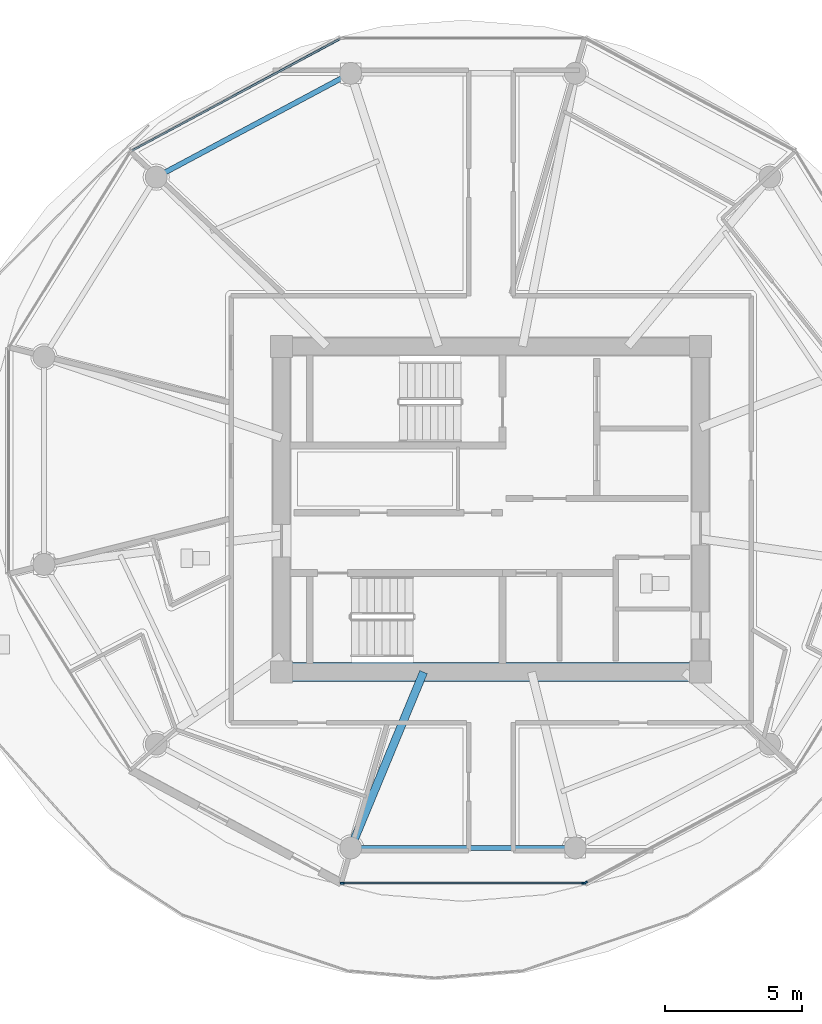
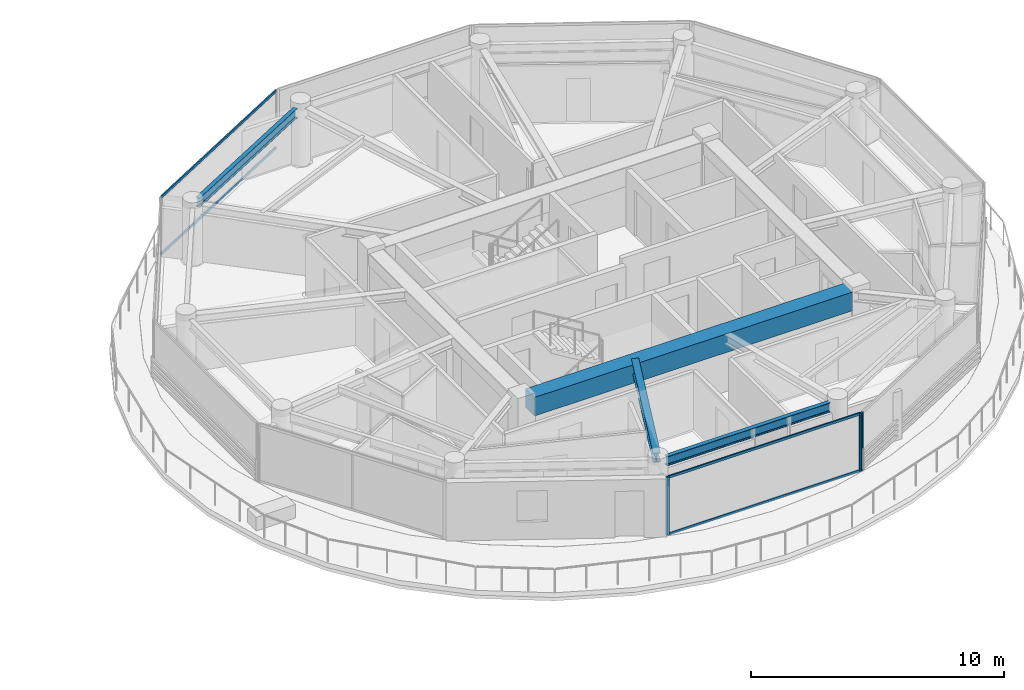
# One storey, part 8 of 28: 7 members, 4 beams, 3 elements without a shape of their own.
"""IFC4 building model written with IfcOpenShell, lengths in metres."""

from ifc_helpers import new_model, si_unit, direction, frame, origin, origin_2d, place, context, subcontext, project, spatial, rectangle, i_section, extrude, source, transform, mapped, material, layer, layer_set, material_profile, profile_set, type_object, type_shapes, element, aggregate, save


model = new_model("IFC4")

# Units and contexts
model_context = context("Model", 3, precision=1e-05, world=origin(), true_north=direction((0.0, 1.0)))
body_context = subcontext(model_context, "Body", "Model", "MODEL_VIEW")
ifc_project = project(units=[si_unit("LENGTHUNIT", "METRE"), si_unit("AREAUNIT", "SQUARE_METRE"), si_unit("VOLUMEUNIT", "CUBIC_METRE"), si_unit("PLANEANGLEUNIT", "RADIAN"), si_unit("MASSUNIT", "GRAM", prefix="KILO")], contexts=[model_context])

# Site, building, storey
site_placement = place(None, origin())
site = spatial("IfcSite", under=ifc_project, at=site_placement, CompositionType="ELEMENT")
building_placement = place(site_placement, origin())
building = spatial("IfcBuilding", under=site, at=building_placement, Name="Norrkilde Senior Care Towers", CompositionType="ELEMENT")
storey_placement = place(building_placement, frame((0.0, 0.0, 134.300048828125)))
storey = spatial("IfcBuildingStorey", under=building, at=storey_placement, Name="L41", CompositionType="ELEMENT", Elevation=134.300048828125)

# Beams
ifc_material_1 = material(Name="Concrete C60/75", Category="concrete")
ifc_material_profile_1 = material_profile(ifc_material_1, rectangle(XDim=0.699951171875, YDim=0.89990234375, at=origin_2d()), Name="RC BM 700x900")
ifc_profile_set_1 = profile_set([ifc_material_profile_1], Name="Concrete C60/75")
beam_type_1 = type_object("IfcBeamType", Name="Core Coupling Girder 700x900", PredefinedType="USERDEFINED", material=ifc_profile_set_1)
shared_shape_1 = source(origin(), body_context, "Body", "SweptSolid", [
    extrude(rectangle(XDim=0.699951171875, YDim=0.89990234375, at=origin_2d()), origin(), (0.0, 0.0, 1.0), 14.5400390625),
])
type_shapes(beam_type_1, [shared_shape_1])
beam_1_placement = place(storey_placement, frame((20.72998046875, -5.949951171875, 2.35986328125), z_axis=(1.0, 0.0, 0.0), x_axis=(0.0, 1.0, 0.0)))
element("IfcBeam", 1, at=beam_1_placement, inside=storey, type_object=beam_type_1, Name="L41 Core E S Coupling Girder", ObjectType="GIRDER", PredefinedType="USERDEFINED", context=body_context, shape_type="MappedRepresentation", body=[
    mapped(shared_shape_1, transform((0.0, 0.0, 0.0), x_axis=(1.0, 0.0, 0.0), y_axis=(0.0, 1.0, 0.0), z_axis=(0.0, 0.0, 1.0), scale=1.0)),
])
ifc_material_2 = material(Name="Steel S355", Category="steel")
ifc_material_profile_2 = material_profile(ifc_material_2, i_section(OverallWidth=0.18994140625, OverallDepth=0.449951171875, WebThickness=0.009521484375, FlangeThickness=0.0146484375, FilletRadius=0.02099609375, at=origin_2d()), Name="IPE 450")
ifc_profile_set_2 = profile_set([ifc_material_profile_2], Name="Steel S355")
beam_type_2 = type_object("IfcBeamType", Name="Perimeter Ring Spandrel Z3 IPE450", PredefinedType="SPANDREL", material=ifc_profile_set_2)
shared_shape_2 = source(origin(), body_context, "Body", "SweptSolid", [
    extrude(i_section(OverallWidth=0.18994140625, OverallDepth=0.449951171875, WebThickness=0.009521484375, FlangeThickness=0.0146484375, FilletRadius=0.02099609375, at=origin_2d()), origin(), (0.0, 0.0, 1.0), 7.333740234375),
])
beam_2_placement = place(storey_placement, frame((22.55517578125, 15.756591796875, 2.5849609375), z_axis=(-0.882247866069, -0.470785198172, 0.0), x_axis=(0.470785198172, -0.882247866069, 0.0)))
element("IfcBeam", 2, at=beam_2_placement, inside=storey, type_object=beam_type_2, Name="L41 Drum E Perimeter Spandrel 04", PredefinedType="SPANDREL", context=body_context, shape_type="MappedRepresentation", body=[
    mapped(shared_shape_2, transform((0.0, 0.0, 0.0), x_axis=(1.0, 0.0, 0.0), y_axis=(0.0, 1.0, 0.0), z_axis=(0.0, 0.0, 1.0), scale=1.0)),
])
shared_shape_3 = source(origin(), body_context, "Body", "SweptSolid", [
    extrude(i_section(OverallWidth=0.18994140625, OverallDepth=0.449951171875, WebThickness=0.009521484375, FlangeThickness=0.0146484375, FilletRadius=0.02099609375, at=origin_2d()), origin(), (0.0, 0.0, 1.0), 7.484619140625),
])
type_shapes(beam_type_2, [shared_shape_2, shared_shape_3])
beam_3_placement = place(storey_placement, frame((23.232666015625, -12.37548828125, 2.5849609375), z_axis=(1.0, 0.0, 0.0), x_axis=(0.0, 1.0, 0.0)))
element("IfcBeam", 3, at=beam_3_placement, inside=storey, type_object=beam_type_2, Name="L41 Drum E Perimeter Spandrel 09", PredefinedType="SPANDREL", context=body_context, shape_type="MappedRepresentation", body=[
    mapped(shared_shape_3, transform((0.0, 0.0, 0.0), x_axis=(1.0, 0.0, 0.0), y_axis=(0.0, 1.0, 0.0), z_axis=(0.0, 0.0, 1.0), scale=1.0)),
])
ifc_material_profile_3 = material_profile(ifc_material_2, i_section(OverallWidth=0.300048828125, OverallDepth=0.449951171875, WebThickness=0.013916015625, FlangeThickness=0.02587890625, FilletRadius=0.027099609375, at=origin_2d()), Name="HEB 450")
ifc_profile_set_3 = profile_set([ifc_material_profile_3], Name="Steel S355")
beam_type_3 = type_object("IfcBeamType", Name="Radial Floor Beam Z3 HEB450", PredefinedType="BEAM", material=ifc_profile_set_3)
shared_shape_4 = source(origin(), body_context, "Body", "SweptSolid", [
    extrude(i_section(OverallWidth=0.300048828125, OverallDepth=0.449951171875, WebThickness=0.013916015625, FlangeThickness=0.02587890625, FilletRadius=0.027099609375, at=origin_2d()), origin(), (0.0, 0.0, 1.0), 6.59521484375),
])
type_shapes(beam_type_3, [shared_shape_4])
beam_4_placement = place(storey_placement, frame((25.534912109375, -5.949951171875, 2.5849609375), z_axis=(-0.382761541363, -0.923847174836, 0.0), x_axis=(0.923847174836, -0.382761541363, 0.0)))
element("IfcBeam", 4, at=beam_4_placement, inside=storey, type_object=beam_type_3, Name="L41 Drum E Radial Floor Beam 09", PredefinedType="BEAM", context=body_context, shape_type="MappedRepresentation", body=[
    mapped(shared_shape_4, transform((0.0, 0.0, 0.0), x_axis=(1.0, 0.0, 0.0), y_axis=(0.0, 1.0, 0.0), z_axis=(0.0, 0.0, 1.0), scale=1.0)),
])

# Curtain wall, members
ifc_material_3 = material(Name="Triple Low-E Insulated Glazing", Category="glass")
ifc_layer = layer(ifc_material_3, 0.18994140625)
ifc_layer_set = layer_set([ifc_layer], Name="Triple Low-E Insulated Glazing")
curtain_wall_type = type_object("IfcCurtainWallType", Name="CW4 Zone 3 Senior Residence Curtain Wall", PredefinedType="NOTDEFINED", material=ifc_layer_set)
curtain_wall_1_placement = place(storey_placement, origin())
curtain_wall_1 = element("IfcCurtainWall", 5, at=curtain_wall_1_placement, inside=storey, type_object=curtain_wall_type, Name="L41 Drum E Curtain Wall 08", PredefinedType="NOTDEFINED")
ifc_material_4 = material(Name="Anodised Aluminium", Category="aluminium")
ifc_material_profile_4 = material_profile(ifc_material_4, rectangle(XDim=0.06494140625, YDim=0.14990234375, at=origin_2d()), Name="ALU MULL 65x150")
ifc_profile_set_4 = profile_set([ifc_material_profile_4], Name="Anodised Aluminium")
member_type_1 = type_object("IfcMemberType", Name="Curtain Wall Mullion Z3-Z4 65x150", PredefinedType="MULLION", material=ifc_profile_set_4)
shared_shape_5 = source(origin(), body_context, "Body", "SweptSolid", [
    extrude(rectangle(XDim=0.06494140625, YDim=0.14990234375, at=origin_2d()), origin(), (0.0, 0.0, 1.0), 2.81005859375),
])
type_shapes(member_type_1, [shared_shape_5])
member_1_placement = place(storey_placement, frame((31.388916015625, -13.66015625, 0.0), z_axis=(0.0, 0.0, 1.0), x_axis=(0.0, -1.0, 0.0)))
member_1 = element("IfcMember", 6, at=member_1_placement, type_object=member_type_1, Name="CW-4 mullion 1", PredefinedType="MULLION", context=body_context, shape_type="MappedRepresentation", body=[
    mapped(shared_shape_5, transform((0.0, 0.0, 0.0), x_axis=(1.0, 0.0, 0.0), y_axis=(0.0, 1.0, 0.0), z_axis=(0.0, 0.0, 1.0), scale=1.0)),
])
member_2_placement = place(storey_placement, frame((22.56103515625, -13.66015625, 0.0), z_axis=(0.0, 0.0, 1.0), x_axis=(0.0, -1.0, 0.0)))
member_2 = element("IfcMember", 7, at=member_2_placement, type_object=member_type_1, Name="CW-4 mullion 2", PredefinedType="MULLION", context=body_context, shape_type="MappedRepresentation", body=[
    mapped(shared_shape_5, transform((0.0, 0.0, 0.0), x_axis=(1.0, 0.0, 0.0), y_axis=(0.0, 1.0, 0.0), z_axis=(0.0, 0.0, 1.0), scale=1.0)),
])

# Curtain wall, member
curtain_wall_2_placement = place(storey_placement, origin())
curtain_wall_2 = element("IfcCurtainWall", 8, at=curtain_wall_2_placement, inside=storey, type_object=curtain_wall_type, Name="L41 Drum E Curtain Wall 09", PredefinedType="NOTDEFINED")
member_3_placement = place(storey_placement, frame((31.4501953125, -13.644775390625, 0.0), z_axis=(0.0, 0.0, 1.0), x_axis=(0.47311715104, -0.880999524059, 0.0)))
member_3 = element("IfcMember", 9, at=member_3_placement, type_object=member_type_1, Name="CW-4 mullion 2", PredefinedType="MULLION", context=body_context, shape_type="MappedRepresentation", body=[
    mapped(shared_shape_5, transform((0.0, 0.0, 0.0), x_axis=(1.0, 0.0, 0.0), y_axis=(0.0, 1.0, 0.0), z_axis=(0.0, 0.0, 1.0), scale=1.0)),
])
aggregate(curtain_wall_2, [member_3])

# Curtain wall, members
curtain_wall_3_placement = place(storey_placement, origin())
curtain_wall_3 = element("IfcCurtainWall", 10, at=curtain_wall_3_placement, inside=storey, type_object=curtain_wall_type, Name="L41 Drum E Curtain Wall 03", PredefinedType="NOTDEFINED")
ifc_material_profile_5 = material_profile(ifc_material_4, rectangle(XDim=0.06005859375, YDim=0.1201171875, at=origin_2d()), Name="ALU TRAN 60x120")
ifc_profile_set_5 = profile_set([ifc_material_profile_5], Name="Anodised Aluminium")
member_type_2 = type_object("IfcMemberType", Name="Curtain Wall Transom Typical 60x120", PredefinedType="USERDEFINED", material=ifc_profile_set_5)
shared_shape_6 = source(origin(), body_context, "Body", "SweptSolid", [
    extrude(rectangle(XDim=0.06005859375, YDim=0.1201171875, at=origin_2d()), origin(), (0.0, 0.0, 1.0), 8.61181640625),
])
member_4_placement = place(storey_placement, frame((14.88427734375, 13.105712890625, 0.030029296875), z_axis=(0.880993991641, 0.473127452906, 0.0), x_axis=(-0.473127452906, 0.880993991641, 0.0)))
member_4 = element("IfcMember", 11, at=member_4_placement, type_object=member_type_2, Name="CW-4 transom 1.1", ObjectType="TRANSOM", PredefinedType="USERDEFINED", context=body_context, shape_type="MappedRepresentation", body=[
    mapped(shared_shape_6, transform((0.0, 0.0, 0.0), x_axis=(1.0, 0.0, 0.0), y_axis=(0.0, 1.0, 0.0), z_axis=(0.0, 0.0, 1.0), scale=1.0)),
])
member_5_placement = place(storey_placement, frame((14.88427734375, 13.105712890625, 2.780029296875), z_axis=(0.880993991641, 0.473127452906, 0.0), x_axis=(-0.473127452906, 0.880993991641, 0.0)))
member_5 = element("IfcMember", 12, at=member_5_placement, type_object=member_type_2, Name="CW-4 transom 1.2", ObjectType="TRANSOM", PredefinedType="USERDEFINED", context=body_context, shape_type="MappedRepresentation", body=[
    mapped(shared_shape_6, transform((0.0, 0.0, 0.0), x_axis=(1.0, 0.0, 0.0), y_axis=(0.0, 1.0, 0.0), z_axis=(0.0, 0.0, 1.0), scale=1.0)),
])
aggregate(curtain_wall_3, [member_4, member_5])

# Member
shared_shape_7 = source(origin(), body_context, "Body", "SweptSolid", [
    extrude(rectangle(XDim=0.06005859375, YDim=0.1201171875, at=origin_2d()), origin(), (0.0, 0.0, 1.0), 8.762939453125),
])
type_shapes(member_type_2, [shared_shape_6, shared_shape_7])
member_6_placement = place(storey_placement, frame((31.3564453125, -13.66015625, 0.030029296875), z_axis=(-1.0, 0.0, 0.0), x_axis=(0.0, -1.0, 0.0)))
member_6 = element("IfcMember", 13, at=member_6_placement, type_object=member_type_2, Name="CW-4 transom 1.1", ObjectType="TRANSOM", PredefinedType="USERDEFINED", context=body_context, shape_type="MappedRepresentation", body=[
    mapped(shared_shape_7, transform((0.0, 0.0, 0.0), x_axis=(1.0, 0.0, 0.0), y_axis=(0.0, 1.0, 0.0), z_axis=(0.0, 0.0, 1.0), scale=1.0)),
])

member_7_placement = place(storey_placement, frame((31.3564453125, -13.66015625, 2.780029296875), z_axis=(-1.0, 0.0, 0.0), x_axis=(0.0, -1.0, 0.0)))
member_7 = element("IfcMember", 14, at=member_7_placement, type_object=member_type_2, Name="CW-4 transom 1.2", ObjectType="TRANSOM", PredefinedType="USERDEFINED", context=body_context, shape_type="MappedRepresentation", body=[
    mapped(shared_shape_7, transform((0.0, 0.0, 0.0), x_axis=(1.0, 0.0, 0.0), y_axis=(0.0, 1.0, 0.0), z_axis=(0.0, 0.0, 1.0), scale=1.0)),
])

aggregate(curtain_wall_1, [member_1, member_2, member_6, member_7])

save(model, "model.ifc")
